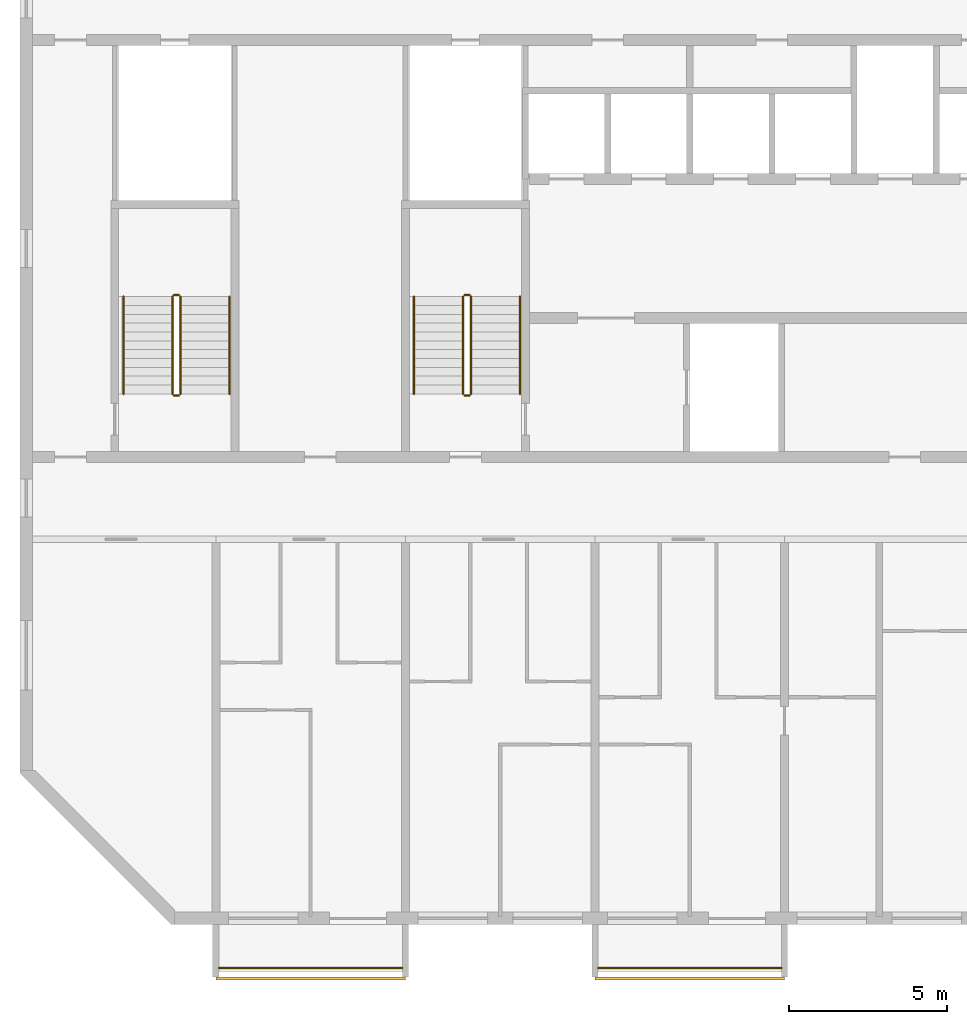
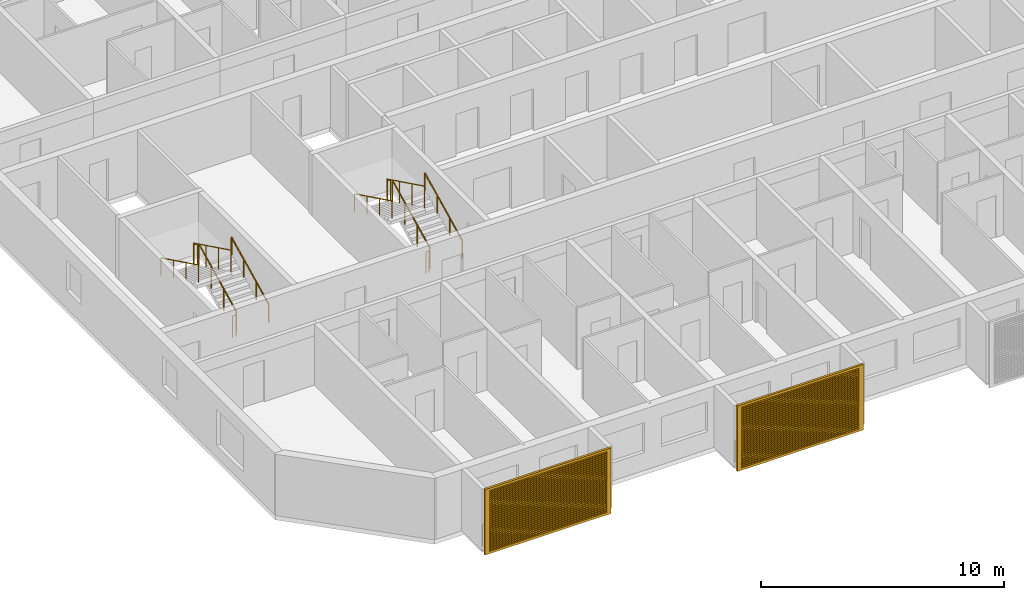
# One storey, part 12 of 26: 14 railings, 2 shading devices.
"""IFC4 building model written with IfcOpenShell, lengths in metres."""

import ifcopenshell
import ifcopenshell.guid

model = None  # the IFC model being written
_history = None  # IfcOwnerHistory: only IFC2X3 demands one
_inside = {}  # id of a spatial element -> (the spatial element, [elements in it])
_under = {}  # id of a project, library or spatial element -> (it, [spatial elements below it])
_declared = {}  # id of a project -> (the project, [libraries it declares])
_typed = {}  # id of a type object -> (the type object, [elements of that type])
_made_of = {}  # id of a material, layer set ... -> (it, [elements and type objects made of it])


def new_model(schema):
    """Start an empty IFC model of exactly this schema.

    Asked for "IFC4X3", IfcOpenShell would pick the latest addendum, in which some entities
    have other attributes; the version numbers below select the first issue.
    IFC2X3 requires an IfcOwnerHistory on every rooted entity: one is made here for all.
    """
    global model, _history
    if schema == "IFC4X3":
        model = ifcopenshell.file(schema_version=(4, 3, 0, 0))
    else:
        model = ifcopenshell.file(schema=schema)
    _inside.clear()
    _under.clear()
    _declared.clear()
    _typed.clear()
    _made_of.clear()
    _history = None
    if model.schema == "IFC2X3":
        org = make("IfcOrganization", Name="unknown")
        user = make(
            "IfcPersonAndOrganization",
            ThePerson=make("IfcPerson", FamilyName="unknown"),
            TheOrganization=org,
        )
        app = make(
            "IfcApplication",
            ApplicationDeveloper=org,
            Version="unknown",
            ApplicationFullName="unknown",
            ApplicationIdentifier="unknown",
        )
        _history = make(
            "IfcOwnerHistory",
            OwningUser=user,
            OwningApplication=app,
            ChangeAction="ADDED",
            CreationDate=0,
        )
    return model


def make(cls, **values):
    """One entity of the class cls with the attributes given. An attribute that is None is left unset."""
    return model.create_entity(
        cls, **{name: value for name, value in values.items() if value is not None}
    )


def rooted(cls, **values):
    """An entity with a GlobalId (a new one), such as an element, a storey or a relation."""
    return make(cls, GlobalId=ifcopenshell.guid.new(), OwnerHistory=_history, **values)


def si_unit(unit_type, name, prefix=None):
    """IfcSIUnit, for example si_unit("LENGTHUNIT", "METRE", prefix="MILLI")."""
    return make("IfcSIUnit", UnitType=unit_type, Prefix=prefix, Name=name)


def assignment(units):
    """IfcUnitAssignment: the units of a project."""
    return None if units is None else make("IfcUnitAssignment", Units=units)


def point(xyz):
    """IfcCartesianPoint."""
    return None if xyz is None else make("IfcCartesianPoint", Coordinates=xyz)


def direction(xyz):
    """IfcDirection."""
    return None if xyz is None else make("IfcDirection", DirectionRatios=xyz)


def frame(location, z_axis=None, x_axis=None):
    """IfcAxis2Placement3D, a coordinate frame: its origin and axes. An axis left out is left unset."""
    return make(
        "IfcAxis2Placement3D",
        Location=point(location),
        Axis=direction(z_axis),
        RefDirection=direction(x_axis),
    )


def frame_2d(location, x_axis=None):
    """IfcAxis2Placement2D, a coordinate frame in the plane: its origin and x axis."""
    return make(
        "IfcAxis2Placement2D", Location=point(location), RefDirection=direction(x_axis)
    )


def origin():
    """The frame at (0, 0, 0) with its axes left unset."""
    return frame((0.0, 0.0, 0.0))


def origin_2d():
    """The frame at (0, 0) in the plane with its x axis left unset."""
    return frame_2d((0.0, 0.0))


def place(relative_to, where):
    """IfcLocalPlacement: puts the frame where relative to a parent placement (None: the world)."""
    return make(
        "IfcLocalPlacement", PlacementRelTo=relative_to, RelativePlacement=where
    )


def context(
    kind, dimensions, precision=None, world=None, true_north=None, identifier=None
):
    """IfcGeometricRepresentationContext, for example the 3D "Model" context."""
    return make(
        "IfcGeometricRepresentationContext",
        ContextIdentifier=identifier,
        ContextType=kind,
        CoordinateSpaceDimension=dimensions,
        Precision=precision,
        WorldCoordinateSystem=world,
        TrueNorth=true_north,
    )


def subcontext(parent, identifier, kind, view, scale=None):
    """IfcGeometricRepresentationSubContext, for example "Body" below "Model"."""
    return make(
        "IfcGeometricRepresentationSubContext",
        ContextIdentifier=identifier,
        ContextType=kind,
        ParentContext=parent,
        TargetScale=scale,
        TargetView=view,
    )


def project(units=None, contexts=None):
    """IfcProject with its units and contexts."""
    return rooted(
        "IfcProject",
        Name="project",
        RepresentationContexts=contexts,
        UnitsInContext=assignment(units),
    )


def spatial(cls, under=None, at=None, **own):
    """A site, building, storey or space (cls), placed at a placement, below another one or the project."""
    s = rooted(cls, ObjectPlacement=at, **own)
    if under is not None:
        _under.setdefault(under.id(), (under, []))[1].append(s)
    return s


def polyline(points):
    """IfcPolyline through the points."""
    return make("IfcPolyline", Points=[point(p) for p in points])


def profile(cls, at=None, kind="AREA", **sizes):
    """A parametric profile (cls). Its sizes go by their IFC names, for example OverallWidth=200.0."""
    return make(cls, ProfileType=kind, Position=at, **sizes)


def circle(**sizes):
    """IfcCircleProfileDef."""
    return profile("IfcCircleProfileDef", **sizes)


def outline(outer, holes=None, kind="AREA"):
    """IfcArbitraryClosedProfileDef: a profile drawn as a closed curve; with holes, ...WithVoids."""
    if holes is None:
        return make("IfcArbitraryClosedProfileDef", ProfileType=kind, OuterCurve=outer)
    return make(
        "IfcArbitraryProfileDefWithVoids",
        ProfileType=kind,
        OuterCurve=outer,
        InnerCurves=holes,
    )


def extrude(swept, where, along, depth):
    """IfcExtrudedAreaSolid: the profile swept, set in the frame where, extruded along a direction by depth."""
    return make(
        "IfcExtrudedAreaSolid",
        SweptArea=swept,
        Position=where,
        ExtrudedDirection=direction(along),
        Depth=depth,
    )


def shape(context_of_items, identifier, shape_type, items):
    """IfcShapeRepresentation: the items that make up one representation, for example the "Body"."""
    return make(
        "IfcShapeRepresentation",
        ContextOfItems=context_of_items,
        RepresentationIdentifier=identifier,
        RepresentationType=shape_type,
        Items=items,
    )


def source(mapping_origin, context_of_items, identifier, shape_type, items):
    """IfcRepresentationMap: a shape defined once, which mapped items show again and again."""
    return make(
        "IfcRepresentationMap",
        MappingOrigin=mapping_origin,
        MappedRepresentation=shape(context_of_items, identifier, shape_type, items),
    )


def transform(
    local_origin,
    x_axis=None,
    y_axis=None,
    z_axis=None,
    scale=None,
    scale2=None,
    scale3=None,
    uniform=True,
):
    """IfcCartesianTransformationOperator3D, or its non-uniform kind. x_axis, y_axis, z_axis: its Axis1, 2, 3."""
    if uniform:
        return make(
            "IfcCartesianTransformationOperator3D",
            Axis1=direction(x_axis),
            Axis2=direction(y_axis),
            LocalOrigin=point(local_origin),
            Scale=scale,
            Axis3=direction(z_axis),
        )
    return make(
        "IfcCartesianTransformationOperator3DnonUniform",
        Axis1=direction(x_axis),
        Axis2=direction(y_axis),
        LocalOrigin=point(local_origin),
        Scale=scale,
        Axis3=direction(z_axis),
        Scale2=scale2,
        Scale3=scale3,
    )


def mapped(mapping_source, mapping_target):
    """IfcMappedItem: shows the shape of a source again, moved by a transform."""
    return make(
        "IfcMappedItem", MappingSource=mapping_source, MappingTarget=mapping_target
    )


def material(Name=None, Category=None):
    """IfcMaterial."""
    return make("IfcMaterial", Name=Name, Category=Category)


def material_profile(
    of_material, cross_section, Name=None, Category=None, Priority=None
):
    """IfcMaterialProfile: a cross section and its material."""
    return make(
        "IfcMaterialProfile",
        Name=Name,
        Material=of_material,
        Profile=cross_section,
        Priority=Priority,
        Category=Category,
    )


def profile_set(profiles, Name=None, composite=None):
    """IfcMaterialProfileSet."""
    return make(
        "IfcMaterialProfileSet",
        Name=Name,
        MaterialProfiles=profiles,
        CompositeProfile=composite,
    )


def made_of(thing, what):
    """Note that an element or type object is made of a material, layer set ...; save() writes the relation."""
    if what is not None:
        _made_of.setdefault(what.id(), (what, []))[1].append(thing)
    return thing


def type_object(cls, material=None, **own):
    """A type object (cls), such as IfcWallType, which elements share."""
    return made_of(rooted(cls, **own), material)


def element(
    cls,
    number,
    at=None,
    inside=None,
    cuts=None,
    type_object=None,
    material=None,
    context=None,
    identifier="Body",
    shape_type=None,
    held_by="IfcProductDefinitionShape",
    body=None,
    shapes=None,
    **own,
):
    """One element of the class cls, such as IfcWall. Its Tag is "e" and its number.

    at: its placement. inside: the storey or other place that contains it. cuts: it is an
    opening in that element (IfcRelVoidsElement). A single representation is given by context,
    identifier, shape_type and body (its items); several are given by shapes. held_by: the class
    of the entity that holds the representations. save() writes the other relations.
    """
    e = rooted(cls, Tag="e%d" % number, ObjectPlacement=at, **own)
    if body is not None:
        shapes = [shape(context, identifier, shape_type, body)]
    if shapes is not None:
        e.Representation = make(held_by, Representations=shapes)
    if inside is not None:
        _inside.setdefault(inside.id(), (inside, []))[1].append(e)
    if cuts is not None:
        rooted(
            "IfcRelVoidsElement", RelatingBuildingElement=cuts, RelatedOpeningElement=e
        )
    if type_object is not None:
        _typed.setdefault(type_object.id(), (type_object, []))[1].append(e)
    return made_of(e, material)


def aggregate(whole, parts):
    """IfcRelAggregates: a whole, such as a stair, and the parts it consists of."""
    return rooted("IfcRelAggregates", RelatingObject=whole, RelatedObjects=parts)


def save(model, path):
    """Write the relations noted so far, then the file.

    IfcRelAggregates (storeys below a building ...), IfcRelContainedInSpatialStructure (elements
    in a storey), IfcRelDefinesByType, IfcRelAssociatesMaterial and IfcRelDeclares: one each for
    every whole, place, type object, material and project.
    """
    for whole, parts in _under.values():
        aggregate(whole, parts)
    for where, things in _inside.values():
        rooted(
            "IfcRelContainedInSpatialStructure",
            RelatedElements=things,
            RelatingStructure=where,
        )
    for kind, things in _typed.values():
        rooted("IfcRelDefinesByType", RelatedObjects=things, RelatingType=kind)
    for what, things in _made_of.values():
        rooted("IfcRelAssociatesMaterial", RelatedObjects=things, RelatingMaterial=what)
    for by, libraries in _declared.values():
        rooted("IfcRelDeclares", RelatingContext=by, RelatedDefinitions=libraries)
    model.write(path)


model = new_model("IFC4")

# Units and contexts
model_context = context("Model", 3, precision=1e-05, world=origin(), true_north=direction((0.0, 1.0)))
body_context = subcontext(model_context, "Body", "Model", "MODEL_VIEW")
ifc_project = project(units=[si_unit("LENGTHUNIT", "METRE"), si_unit("AREAUNIT", "SQUARE_METRE"), si_unit("VOLUMEUNIT", "CUBIC_METRE"), si_unit("PLANEANGLEUNIT", "RADIAN"), si_unit("MASSUNIT", "GRAM", prefix="KILO")], contexts=[model_context])

# Site, building, storey
site_placement = place(None, origin())
site = spatial("IfcSite", under=ifc_project, at=site_placement, CompositionType="ELEMENT")
building_placement = place(site_placement, origin())
building = spatial("IfcBuilding", under=site, at=building_placement, Name="Poui Terraces", CompositionType="ELEMENT")
storey_placement = place(building_placement, frame((0.0, 0.0, 228.0)))
storey = spatial("IfcBuildingStorey", under=building, at=storey_placement, Name="L63", CompositionType="ELEMENT", Elevation=228.0)

# Railings
ifc_material_1 = material(Name="Painted steel fretwork", Category="steel")
railing_type_1 = type_object("IfcRailingType", Name="BALCONY GUARD 1100", PredefinedType="GUARDRAIL", material=ifc_material_1)
for number, where, name in (
    (1, (24.10009765625, -1.570068359375, 0.0), "BALCONY GUARD"),
    (2, (36.10009765625, -1.570068359375, 0.0), "BALCONY GUARD"),
):
    element("IfcRailing", number, at=place(storey_placement, frame(where)), inside=storey, type_object=railing_type_1, Name=name, PredefinedType="GUARDRAIL", context=body_context, shape_type="SweptSolid", body=[
        extrude(circle(Radius=0.02392578125, at=origin_2d()), frame((0.0, 0.0, 1.076171875), z_axis=(1.0, 0.0, 0.0), x_axis=(0.0, 1.0, 0.0)), (0.0, 0.0, 1.0), 5.7998046875),
        extrude(circle(Radius=0.02099609375, at=origin_2d()), origin(), (0.0, 0.0, 1.0), 1.052001953125),
        extrude(circle(Radius=0.02099609375, at=origin_2d()), frame((0.966552734375, 0.0, 0.0)), (0.0, 0.0, 1.0), 1.052001953125),
        extrude(circle(Radius=0.02099609375, at=origin_2d()), frame((1.933349609375, 0.0, 0.0)), (0.0, 0.0, 1.0), 1.052001953125),
        extrude(circle(Radius=0.02099609375, at=origin_2d()), frame((2.89990234375, 0.0, 0.0)), (0.0, 0.0, 1.0), 1.052001953125),
        extrude(circle(Radius=0.02099609375, at=origin_2d()), frame((3.866455078125, 0.0, 0.0)), (0.0, 0.0, 1.0), 1.052001953125),
        extrude(circle(Radius=0.02099609375, at=origin_2d()), frame((4.833251953125, 0.0, 0.0)), (0.0, 0.0, 1.0), 1.052001953125),
        extrude(circle(Radius=0.02099609375, at=origin_2d()), frame((5.7998046875, 0.0, 0.0)), (0.0, 0.0, 1.0), 1.052001953125),
    ])
ifc_material_2 = material(Name="Galvanised steel balustrade", Category="steel")
railing_type_2 = type_object("IfcRailingType", Name="STAIR GUARD 1100", PredefinedType="GUARDRAIL", material=ifc_material_2)
railing_1_placement = place(storey_placement, frame((32.074951171875, 16.60009765625, 0.137451171875)))
element("IfcRailing", 3, at=railing_1_placement, inside=storey, type_object=railing_type_2, Name="L63 ST-CW stair guard 1", PredefinedType="GUARDRAIL", context=body_context, shape_type="SweptSolid", body=[
    extrude(circle(Radius=0.02392578125, at=origin_2d()), frame((0.0, 0.0, 1.076171875), z_axis=(0.0, 0.897606190399, 0.440798283751), x_axis=(-1.0, 0.0, 0.0)), (0.0, 0.0, 1.0), 3.43115234375),
    extrude(circle(Radius=0.02099609375, at=origin_2d()), origin(), (0.0, 0.0, 1.0), 1.052001953125),
    extrude(circle(Radius=0.02099609375, at=origin_2d()), frame((0.0, 1.026611328125, 0.504150390625)), (0.0, 0.0, 1.0), 1.052001953125),
    extrude(circle(Radius=0.02099609375, at=origin_2d()), frame((0.0, 2.05322265625, 1.00830078125)), (0.0, 0.0, 1.0), 1.052001953125),
    extrude(circle(Radius=0.02099609375, at=origin_2d()), frame((0.0, 3.079833984375, 1.512451171875)), (0.0, 0.0, 1.0), 1.052001953125),
])
railing_2_placement = place(storey_placement, frame((32.02490234375, 19.72998046875, 1.64990234375)))
element("IfcRailing", 4, at=railing_2_placement, inside=storey, type_object=railing_type_2, Name="L63 ST-CW stair guard 2", PredefinedType="GUARDRAIL", context=body_context, shape_type="SweptSolid", body=[
    extrude(circle(Radius=0.02392578125, at=origin_2d()), frame((0.0, 0.0, 1.076171875), z_axis=(-1.0, 0.0, 0.0), x_axis=(0.0, -1.0, 0.0)), (0.0, 0.0, 1.0), 0.14990234375),
    extrude(circle(Radius=0.02099609375, at=origin_2d()), origin(), (0.0, 0.0, 1.0), 1.052001953125),
    extrude(circle(Radius=0.02099609375, at=origin_2d()), frame((-0.14990234375, 0.0, 0.0)), (0.0, 0.0, 1.0), 1.052001953125),
])
railing_3_placement = place(storey_placement, frame((31.824951171875, 19.679931640625, 1.78759765625)))
element("IfcRailing", 5, at=railing_3_placement, inside=storey, type_object=railing_type_2, Name="L63 ST-CW stair guard 3", PredefinedType="GUARDRAIL", context=body_context, shape_type="SweptSolid", body=[
    extrude(circle(Radius=0.02392578125, at=origin_2d()), frame((0.0, 0.0, 1.076171875), z_axis=(0.0, -0.897606190399, 0.440798283751), x_axis=(1.0, 0.0, 0.0)), (0.0, 0.0, 1.0), 3.43115234375),
    extrude(circle(Radius=0.02099609375, at=origin_2d()), origin(), (0.0, 0.0, 1.0), 1.052001953125),
    extrude(circle(Radius=0.02099609375, at=origin_2d()), frame((0.0, -1.026611328125, 0.504150390625)), (0.0, 0.0, 1.0), 1.052001953125),
    extrude(circle(Radius=0.02099609375, at=origin_2d()), frame((0.0, -2.05322265625, 1.00830078125)), (0.0, 0.0, 1.0), 1.052001953125),
    extrude(circle(Radius=0.02099609375, at=origin_2d()), frame((0.0, -3.079833984375, 1.512451171875)), (0.0, 0.0, 1.0), 1.052001953125),
])
railing_4_placement = place(storey_placement, frame((32.02490234375, 16.550048828125, 0.0)))
element("IfcRailing", 6, at=railing_4_placement, inside=storey, type_object=railing_type_2, Name="L63 ST-CW stair guard 4", PredefinedType="GUARDRAIL", context=body_context, shape_type="SweptSolid", body=[
    extrude(circle(Radius=0.02392578125, at=origin_2d()), frame((0.0, 0.0, 1.076171875), z_axis=(-1.0, 0.0, 0.0), x_axis=(0.0, -1.0, 0.0)), (0.0, 0.0, 1.0), 0.14990234375),
    extrude(circle(Radius=0.02099609375, at=origin_2d()), origin(), (0.0, 0.0, 1.0), 1.052001953125),
    extrude(circle(Radius=0.02099609375, at=origin_2d()), frame((-0.14990234375, 0.0, 0.0)), (0.0, 0.0, 1.0), 1.052001953125),
])
railing_5_placement = place(storey_placement, frame((22.875, 16.60009765625, 0.137451171875)))
element("IfcRailing", 7, at=railing_5_placement, inside=storey, type_object=railing_type_2, Name="L63 ST-W stair guard 1", PredefinedType="GUARDRAIL", context=body_context, shape_type="SweptSolid", body=[
    extrude(circle(Radius=0.02392578125, at=origin_2d()), frame((0.0, 0.0, 1.076171875), z_axis=(0.0, 0.897606190399, 0.440798283751), x_axis=(-1.0, 0.0, 0.0)), (0.0, 0.0, 1.0), 3.43115234375),
    extrude(circle(Radius=0.02099609375, at=origin_2d()), origin(), (0.0, 0.0, 1.0), 1.052001953125),
    extrude(circle(Radius=0.02099609375, at=origin_2d()), frame((0.0, 1.026611328125, 0.504150390625)), (0.0, 0.0, 1.0), 1.052001953125),
    extrude(circle(Radius=0.02099609375, at=origin_2d()), frame((0.0, 2.05322265625, 1.00830078125)), (0.0, 0.0, 1.0), 1.052001953125),
    extrude(circle(Radius=0.02099609375, at=origin_2d()), frame((0.0, 3.079833984375, 1.512451171875)), (0.0, 0.0, 1.0), 1.052001953125),
])
railing_6_placement = place(storey_placement, frame((22.824951171875, 19.72998046875, 1.64990234375)))
element("IfcRailing", 8, at=railing_6_placement, inside=storey, type_object=railing_type_2, Name="L63 ST-W stair guard 2", PredefinedType="GUARDRAIL", context=body_context, shape_type="SweptSolid", body=[
    extrude(circle(Radius=0.02392578125, at=origin_2d()), frame((0.0, 0.0, 1.076171875), z_axis=(-1.0, 0.0, 0.0), x_axis=(0.0, -1.0, 0.0)), (0.0, 0.0, 1.0), 0.14990234375),
    extrude(circle(Radius=0.02099609375, at=origin_2d()), origin(), (0.0, 0.0, 1.0), 1.052001953125),
    extrude(circle(Radius=0.02099609375, at=origin_2d()), frame((-0.14990234375, 0.0, 0.0)), (0.0, 0.0, 1.0), 1.052001953125),
])
railing_7_placement = place(storey_placement, frame((22.625, 19.679931640625, 1.78759765625)))
element("IfcRailing", 9, at=railing_7_placement, inside=storey, type_object=railing_type_2, Name="L63 ST-W stair guard 3", PredefinedType="GUARDRAIL", context=body_context, shape_type="SweptSolid", body=[
    extrude(circle(Radius=0.02392578125, at=origin_2d()), frame((0.0, 0.0, 1.076171875), z_axis=(0.0, -0.897606190399, 0.440798283751), x_axis=(1.0, 0.0, 0.0)), (0.0, 0.0, 1.0), 3.43115234375),
    extrude(circle(Radius=0.02099609375, at=origin_2d()), origin(), (0.0, 0.0, 1.0), 1.052001953125),
    extrude(circle(Radius=0.02099609375, at=origin_2d()), frame((0.0, -1.026611328125, 0.504150390625)), (0.0, 0.0, 1.0), 1.052001953125),
    extrude(circle(Radius=0.02099609375, at=origin_2d()), frame((0.0, -2.05322265625, 1.00830078125)), (0.0, 0.0, 1.0), 1.052001953125),
    extrude(circle(Radius=0.02099609375, at=origin_2d()), frame((0.0, -3.079833984375, 1.512451171875)), (0.0, 0.0, 1.0), 1.052001953125),
])
railing_8_placement = place(storey_placement, frame((22.824951171875, 16.550048828125, 0.0)))
element("IfcRailing", 10, at=railing_8_placement, inside=storey, type_object=railing_type_2, Name="L63 ST-W stair guard 4", PredefinedType="GUARDRAIL", context=body_context, shape_type="SweptSolid", body=[
    extrude(circle(Radius=0.02392578125, at=origin_2d()), frame((0.0, 0.0, 1.076171875), z_axis=(-1.0, 0.0, 0.0), x_axis=(0.0, -1.0, 0.0)), (0.0, 0.0, 1.0), 0.14990234375),
    extrude(circle(Radius=0.02099609375, at=origin_2d()), origin(), (0.0, 0.0, 1.0), 1.052001953125),
    extrude(circle(Radius=0.02099609375, at=origin_2d()), frame((-0.14990234375, 0.0, 0.0)), (0.0, 0.0, 1.0), 1.052001953125),
])
ifc_material_3 = material(Name="Stainless steel handrail", Category="steel")
railing_type_3 = type_object("IfcRailingType", Name="STAIR HANDRAIL 900", PredefinedType="HANDRAIL", material=ifc_material_3)
railing_9_placement = place(storey_placement, frame((33.625, 16.60009765625, 0.137451171875)))
element("IfcRailing", 11, at=railing_9_placement, inside=storey, type_object=railing_type_3, Name="L63 ST-CW stair handrail 1", PredefinedType="HANDRAIL", context=body_context, shape_type="SweptSolid", body=[
    extrude(circle(Radius=0.02392578125, at=origin_2d()), frame((0.0, 0.0, 0.8759765625), z_axis=(0.0, 0.897606190399, 0.440798283751), x_axis=(-1.0, 0.0, 0.0)), (0.0, 0.0, 1.0), 3.43115234375),
    extrude(circle(Radius=0.02099609375, at=origin_2d()), origin(), (0.0, 0.0, 1.0), 0.851806640625),
    extrude(circle(Radius=0.02099609375, at=origin_2d()), frame((0.0, 1.026611328125, 0.504150390625)), (0.0, 0.0, 1.0), 0.851806640625),
    extrude(circle(Radius=0.02099609375, at=origin_2d()), frame((0.0, 2.05322265625, 1.00830078125)), (0.0, 0.0, 1.0), 0.851806640625),
    extrude(circle(Radius=0.02099609375, at=origin_2d()), frame((0.0, 3.079833984375, 1.512451171875)), (0.0, 0.0, 1.0), 0.851806640625),
])
railing_10_placement = place(storey_placement, frame((30.27490234375, 19.679931640625, 1.78759765625)))
element("IfcRailing", 12, at=railing_10_placement, inside=storey, type_object=railing_type_3, Name="L63 ST-CW stair handrail 2", PredefinedType="HANDRAIL", context=body_context, shape_type="SweptSolid", body=[
    extrude(circle(Radius=0.02392578125, at=origin_2d()), frame((0.0, 0.0, 0.8759765625), z_axis=(0.0, -0.897606190399, 0.440798283751), x_axis=(1.0, 0.0, 0.0)), (0.0, 0.0, 1.0), 3.43115234375),
    extrude(circle(Radius=0.02099609375, at=origin_2d()), origin(), (0.0, 0.0, 1.0), 0.851806640625),
    extrude(circle(Radius=0.02099609375, at=origin_2d()), frame((0.0, -1.026611328125, 0.504150390625)), (0.0, 0.0, 1.0), 0.851806640625),
    extrude(circle(Radius=0.02099609375, at=origin_2d()), frame((0.0, -2.05322265625, 1.00830078125)), (0.0, 0.0, 1.0), 0.851806640625),
    extrude(circle(Radius=0.02099609375, at=origin_2d()), frame((0.0, -3.079833984375, 1.512451171875)), (0.0, 0.0, 1.0), 0.851806640625),
])
railing_11_placement = place(storey_placement, frame((24.425048828125, 16.60009765625, 0.137451171875)))
element("IfcRailing", 13, at=railing_11_placement, inside=storey, type_object=railing_type_3, Name="L63 ST-W stair handrail 1", PredefinedType="HANDRAIL", context=body_context, shape_type="SweptSolid", body=[
    extrude(circle(Radius=0.02392578125, at=origin_2d()), frame((0.0, 0.0, 0.8759765625), z_axis=(0.0, 0.897606190399, 0.440798283751), x_axis=(-1.0, 0.0, 0.0)), (0.0, 0.0, 1.0), 3.43115234375),
    extrude(circle(Radius=0.02099609375, at=origin_2d()), origin(), (0.0, 0.0, 1.0), 0.851806640625),
    extrude(circle(Radius=0.02099609375, at=origin_2d()), frame((0.0, 1.026611328125, 0.504150390625)), (0.0, 0.0, 1.0), 0.851806640625),
    extrude(circle(Radius=0.02099609375, at=origin_2d()), frame((0.0, 2.05322265625, 1.00830078125)), (0.0, 0.0, 1.0), 0.851806640625),
    extrude(circle(Radius=0.02099609375, at=origin_2d()), frame((0.0, 3.079833984375, 1.512451171875)), (0.0, 0.0, 1.0), 0.851806640625),
])
railing_12_placement = place(storey_placement, frame((21.074951171875, 19.679931640625, 1.78759765625)))
element("IfcRailing", 14, at=railing_12_placement, inside=storey, type_object=railing_type_3, Name="L63 ST-W stair handrail 2", PredefinedType="HANDRAIL", context=body_context, shape_type="SweptSolid", body=[
    extrude(circle(Radius=0.02392578125, at=origin_2d()), frame((0.0, 0.0, 0.8759765625), z_axis=(0.0, -0.897606190399, 0.440798283751), x_axis=(1.0, 0.0, 0.0)), (0.0, 0.0, 1.0), 3.43115234375),
    extrude(circle(Radius=0.02099609375, at=origin_2d()), origin(), (0.0, 0.0, 1.0), 0.851806640625),
    extrude(circle(Radius=0.02099609375, at=origin_2d()), frame((0.0, -1.026611328125, 0.504150390625)), (0.0, 0.0, 1.0), 0.851806640625),
    extrude(circle(Radius=0.02099609375, at=origin_2d()), frame((0.0, -2.05322265625, 1.00830078125)), (0.0, 0.0, 1.0), 0.851806640625),
    extrude(circle(Radius=0.02099609375, at=origin_2d()), frame((0.0, -3.079833984375, 1.512451171875)), (0.0, 0.0, 1.0), 0.851806640625),
])

# Shading devices
ifc_material_4 = material(Name="Aluminium louvre", Category="aluminium")
ifc_material_profile = material_profile(ifc_material_4, outline(polyline([(-3.0, -1.64990234375), (3.0, -1.64990234375), (3.0, 1.64990234375), (-3.0, 1.64990234375), (-3.0, -1.64990234375)]), holes=[polyline([(-2.800048828125, -1.530029296875), (2.800048828125, -1.530029296875), (2.800048828125, -1.469970703125), (-2.800048828125, -1.469970703125), (-2.800048828125, -1.530029296875)]), polyline([(-2.800048828125, -1.429931640625), (2.800048828125, -1.429931640625), (2.800048828125, -1.3701171875), (-2.800048828125, -1.3701171875), (-2.800048828125, -1.429931640625)]), polyline([(-2.800048828125, -1.330078125), (2.800048828125, -1.330078125), (2.800048828125, -1.27001953125), (-2.800048828125, -1.27001953125), (-2.800048828125, -1.330078125)]), polyline([(-2.800048828125, -1.22998046875), (2.800048828125, -1.22998046875), (2.800048828125, -1.169921875), (-2.800048828125, -1.169921875), (-2.800048828125, -1.22998046875)]), polyline([(-2.800048828125, -1.1298828125), (2.800048828125, -1.1298828125), (2.800048828125, -1.070068359375), (-2.800048828125, -1.070068359375), (-2.800048828125, -1.1298828125)]), polyline([(-2.800048828125, -1.030029296875), (2.800048828125, -1.030029296875), (2.800048828125, -0.969970703125), (-2.800048828125, -0.969970703125), (-2.800048828125, -1.030029296875)]), polyline([(-2.800048828125, -0.929931640625), (2.800048828125, -0.929931640625), (2.800048828125, -0.8701171875), (-2.800048828125, -0.8701171875), (-2.800048828125, -0.929931640625)]), polyline([(-2.800048828125, -0.830078125), (2.800048828125, -0.830078125), (2.800048828125, -0.77001953125), (-2.800048828125, -0.77001953125), (-2.800048828125, -0.830078125)]), polyline([(-2.800048828125, -0.72998046875), (2.800048828125, -0.72998046875), (2.800048828125, -0.669921875), (-2.800048828125, -0.669921875), (-2.800048828125, -0.72998046875)]), polyline([(-2.800048828125, -0.6298828125), (2.800048828125, -0.6298828125), (2.800048828125, -0.570068359375), (-2.800048828125, -0.570068359375), (-2.800048828125, -0.6298828125)]), polyline([(-2.800048828125, -0.530029296875), (2.800048828125, -0.530029296875), (2.800048828125, -0.469970703125), (-2.800048828125, -0.469970703125), (-2.800048828125, -0.530029296875)]), polyline([(-2.800048828125, -0.429931640625), (2.800048828125, -0.429931640625), (2.800048828125, -0.3701171875), (-2.800048828125, -0.3701171875), (-2.800048828125, -0.429931640625)]), polyline([(-2.800048828125, -0.330078125), (2.800048828125, -0.330078125), (2.800048828125, -0.27001953125), (-2.800048828125, -0.27001953125), (-2.800048828125, -0.330078125)]), polyline([(-2.800048828125, -0.22998046875), (2.800048828125, -0.22998046875), (2.800048828125, -0.169921875), (-2.800048828125, -0.169921875), (-2.800048828125, -0.22998046875)]), polyline([(-2.800048828125, -0.1298828125), (2.800048828125, -0.1298828125), (2.800048828125, -0.070068359375), (-2.800048828125, -0.070068359375), (-2.800048828125, -0.1298828125)]), polyline([(-2.800048828125, -0.030029296875), (2.800048828125, -0.030029296875), (2.800048828125, 0.030029296875), (-2.800048828125, 0.030029296875), (-2.800048828125, -0.030029296875)]), polyline([(-2.800048828125, 0.070068359375), (2.800048828125, 0.070068359375), (2.800048828125, 0.1298828125), (-2.800048828125, 0.1298828125), (-2.800048828125, 0.070068359375)]), polyline([(-2.800048828125, 0.169921875), (2.800048828125, 0.169921875), (2.800048828125, 0.22998046875), (-2.800048828125, 0.22998046875), (-2.800048828125, 0.169921875)]), polyline([(-2.800048828125, 0.27001953125), (2.800048828125, 0.27001953125), (2.800048828125, 0.330078125), (-2.800048828125, 0.330078125), (-2.800048828125, 0.27001953125)]), polyline([(-2.800048828125, 0.3701171875), (2.800048828125, 0.3701171875), (2.800048828125, 0.429931640625), (-2.800048828125, 0.429931640625), (-2.800048828125, 0.3701171875)]), polyline([(-2.800048828125, 0.469970703125), (2.800048828125, 0.469970703125), (2.800048828125, 0.530029296875), (-2.800048828125, 0.530029296875), (-2.800048828125, 0.469970703125)]), polyline([(-2.800048828125, 0.570068359375), (2.800048828125, 0.570068359375), (2.800048828125, 0.6298828125), (-2.800048828125, 0.6298828125), (-2.800048828125, 0.570068359375)]), polyline([(-2.800048828125, 0.669921875), (2.800048828125, 0.669921875), (2.800048828125, 0.72998046875), (-2.800048828125, 0.72998046875), (-2.800048828125, 0.669921875)]), polyline([(-2.800048828125, 0.77001953125), (2.800048828125, 0.77001953125), (2.800048828125, 0.830078125), (-2.800048828125, 0.830078125), (-2.800048828125, 0.77001953125)]), polyline([(-2.800048828125, 0.8701171875), (2.800048828125, 0.8701171875), (2.800048828125, 0.929931640625), (-2.800048828125, 0.929931640625), (-2.800048828125, 0.8701171875)]), polyline([(-2.800048828125, 0.969970703125), (2.800048828125, 0.969970703125), (2.800048828125, 1.030029296875), (-2.800048828125, 1.030029296875), (-2.800048828125, 0.969970703125)]), polyline([(-2.800048828125, 1.070068359375), (2.800048828125, 1.070068359375), (2.800048828125, 1.1298828125), (-2.800048828125, 1.1298828125), (-2.800048828125, 1.070068359375)]), polyline([(-2.800048828125, 1.169921875), (2.800048828125, 1.169921875), (2.800048828125, 1.22998046875), (-2.800048828125, 1.22998046875), (-2.800048828125, 1.169921875)]), polyline([(-2.800048828125, 1.27001953125), (2.800048828125, 1.27001953125), (2.800048828125, 1.330078125), (-2.800048828125, 1.330078125), (-2.800048828125, 1.27001953125)]), polyline([(-2.800048828125, 1.3701171875), (2.800048828125, 1.3701171875), (2.800048828125, 1.429931640625), (-2.800048828125, 1.429931640625), (-2.800048828125, 1.3701171875)]), polyline([(-2.800048828125, 1.469970703125), (2.800048828125, 1.469970703125), (2.800048828125, 1.530029296875), (-2.800048828125, 1.530029296875), (-2.800048828125, 1.469970703125)])]), Name="JALOUSIE LOUVRE SHUTTER 6000X3300")
ifc_profile_set = profile_set([ifc_material_profile], Name="Aluminium louvre")
shading_device_type = type_object("IfcShadingDeviceType", Name="JALOUSIE LOUVRE SHUTTER 6000X3300", PredefinedType="JALOUSIE", material=ifc_profile_set)
shared_shape = source(origin(), body_context, "Body", "SweptSolid", [
    extrude(outline(polyline([(-3.0, -1.64990234375), (3.0, -1.64990234375), (3.0, 1.64990234375), (-3.0, 1.64990234375), (-3.0, -1.64990234375)]), holes=[polyline([(-2.800048828125, -1.530029296875), (2.800048828125, -1.530029296875), (2.800048828125, -1.469970703125), (-2.800048828125, -1.469970703125), (-2.800048828125, -1.530029296875)]), polyline([(-2.800048828125, -1.429931640625), (2.800048828125, -1.429931640625), (2.800048828125, -1.3701171875), (-2.800048828125, -1.3701171875), (-2.800048828125, -1.429931640625)]), polyline([(-2.800048828125, -1.330078125), (2.800048828125, -1.330078125), (2.800048828125, -1.27001953125), (-2.800048828125, -1.27001953125), (-2.800048828125, -1.330078125)]), polyline([(-2.800048828125, -1.22998046875), (2.800048828125, -1.22998046875), (2.800048828125, -1.169921875), (-2.800048828125, -1.169921875), (-2.800048828125, -1.22998046875)]), polyline([(-2.800048828125, -1.1298828125), (2.800048828125, -1.1298828125), (2.800048828125, -1.070068359375), (-2.800048828125, -1.070068359375), (-2.800048828125, -1.1298828125)]), polyline([(-2.800048828125, -1.030029296875), (2.800048828125, -1.030029296875), (2.800048828125, -0.969970703125), (-2.800048828125, -0.969970703125), (-2.800048828125, -1.030029296875)]), polyline([(-2.800048828125, -0.929931640625), (2.800048828125, -0.929931640625), (2.800048828125, -0.8701171875), (-2.800048828125, -0.8701171875), (-2.800048828125, -0.929931640625)]), polyline([(-2.800048828125, -0.830078125), (2.800048828125, -0.830078125), (2.800048828125, -0.77001953125), (-2.800048828125, -0.77001953125), (-2.800048828125, -0.830078125)]), polyline([(-2.800048828125, -0.72998046875), (2.800048828125, -0.72998046875), (2.800048828125, -0.669921875), (-2.800048828125, -0.669921875), (-2.800048828125, -0.72998046875)]), polyline([(-2.800048828125, -0.6298828125), (2.800048828125, -0.6298828125), (2.800048828125, -0.570068359375), (-2.800048828125, -0.570068359375), (-2.800048828125, -0.6298828125)]), polyline([(-2.800048828125, -0.530029296875), (2.800048828125, -0.530029296875), (2.800048828125, -0.469970703125), (-2.800048828125, -0.469970703125), (-2.800048828125, -0.530029296875)]), polyline([(-2.800048828125, -0.429931640625), (2.800048828125, -0.429931640625), (2.800048828125, -0.3701171875), (-2.800048828125, -0.3701171875), (-2.800048828125, -0.429931640625)]), polyline([(-2.800048828125, -0.330078125), (2.800048828125, -0.330078125), (2.800048828125, -0.27001953125), (-2.800048828125, -0.27001953125), (-2.800048828125, -0.330078125)]), polyline([(-2.800048828125, -0.22998046875), (2.800048828125, -0.22998046875), (2.800048828125, -0.169921875), (-2.800048828125, -0.169921875), (-2.800048828125, -0.22998046875)]), polyline([(-2.800048828125, -0.1298828125), (2.800048828125, -0.1298828125), (2.800048828125, -0.070068359375), (-2.800048828125, -0.070068359375), (-2.800048828125, -0.1298828125)]), polyline([(-2.800048828125, -0.030029296875), (2.800048828125, -0.030029296875), (2.800048828125, 0.030029296875), (-2.800048828125, 0.030029296875), (-2.800048828125, -0.030029296875)]), polyline([(-2.800048828125, 0.070068359375), (2.800048828125, 0.070068359375), (2.800048828125, 0.1298828125), (-2.800048828125, 0.1298828125), (-2.800048828125, 0.070068359375)]), polyline([(-2.800048828125, 0.169921875), (2.800048828125, 0.169921875), (2.800048828125, 0.22998046875), (-2.800048828125, 0.22998046875), (-2.800048828125, 0.169921875)]), polyline([(-2.800048828125, 0.27001953125), (2.800048828125, 0.27001953125), (2.800048828125, 0.330078125), (-2.800048828125, 0.330078125), (-2.800048828125, 0.27001953125)]), polyline([(-2.800048828125, 0.3701171875), (2.800048828125, 0.3701171875), (2.800048828125, 0.429931640625), (-2.800048828125, 0.429931640625), (-2.800048828125, 0.3701171875)]), polyline([(-2.800048828125, 0.469970703125), (2.800048828125, 0.469970703125), (2.800048828125, 0.530029296875), (-2.800048828125, 0.530029296875), (-2.800048828125, 0.469970703125)]), polyline([(-2.800048828125, 0.570068359375), (2.800048828125, 0.570068359375), (2.800048828125, 0.6298828125), (-2.800048828125, 0.6298828125), (-2.800048828125, 0.570068359375)]), polyline([(-2.800048828125, 0.669921875), (2.800048828125, 0.669921875), (2.800048828125, 0.72998046875), (-2.800048828125, 0.72998046875), (-2.800048828125, 0.669921875)]), polyline([(-2.800048828125, 0.77001953125), (2.800048828125, 0.77001953125), (2.800048828125, 0.830078125), (-2.800048828125, 0.830078125), (-2.800048828125, 0.77001953125)]), polyline([(-2.800048828125, 0.8701171875), (2.800048828125, 0.8701171875), (2.800048828125, 0.929931640625), (-2.800048828125, 0.929931640625), (-2.800048828125, 0.8701171875)]), polyline([(-2.800048828125, 0.969970703125), (2.800048828125, 0.969970703125), (2.800048828125, 1.030029296875), (-2.800048828125, 1.030029296875), (-2.800048828125, 0.969970703125)]), polyline([(-2.800048828125, 1.070068359375), (2.800048828125, 1.070068359375), (2.800048828125, 1.1298828125), (-2.800048828125, 1.1298828125), (-2.800048828125, 1.070068359375)]), polyline([(-2.800048828125, 1.169921875), (2.800048828125, 1.169921875), (2.800048828125, 1.22998046875), (-2.800048828125, 1.22998046875), (-2.800048828125, 1.169921875)]), polyline([(-2.800048828125, 1.27001953125), (2.800048828125, 1.27001953125), (2.800048828125, 1.330078125), (-2.800048828125, 1.330078125), (-2.800048828125, 1.27001953125)]), polyline([(-2.800048828125, 1.3701171875), (2.800048828125, 1.3701171875), (2.800048828125, 1.429931640625), (-2.800048828125, 1.429931640625), (-2.800048828125, 1.3701171875)]), polyline([(-2.800048828125, 1.469970703125), (2.800048828125, 1.469970703125), (2.800048828125, 1.530029296875), (-2.800048828125, 1.530029296875), (-2.800048828125, 1.469970703125)])]), origin(), (0.0, 0.0, 1.0), 0.099853515625),
])
for number, where, z_axis, x_axis, name in (
    (15, (27.0, -1.85009765625, 1.449951171875), (0.0, -1.0, 0.0), (1.0, 0.0, 0.0), "JALOUSIE LOUVRE SHUTTER"),
    (16, (39.0, -1.85009765625, 1.449951171875), (0.0, -1.0, 0.0), (1.0, 0.0, 0.0), "JALOUSIE LOUVRE SHUTTER"),
):
    element("IfcShadingDevice", number, at=place(storey_placement, frame(where, z_axis=z_axis, x_axis=x_axis)), inside=storey, type_object=shading_device_type, Name=name, PredefinedType="JALOUSIE", context=body_context, shape_type="MappedRepresentation", body=[
        mapped(shared_shape, transform((0.0, 0.0, 0.0))),
    ])

save(model, "model.ifc")
